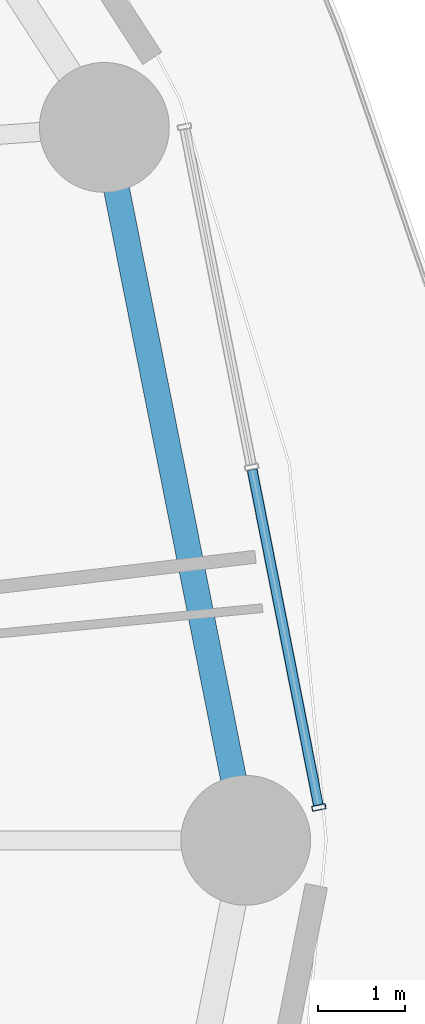
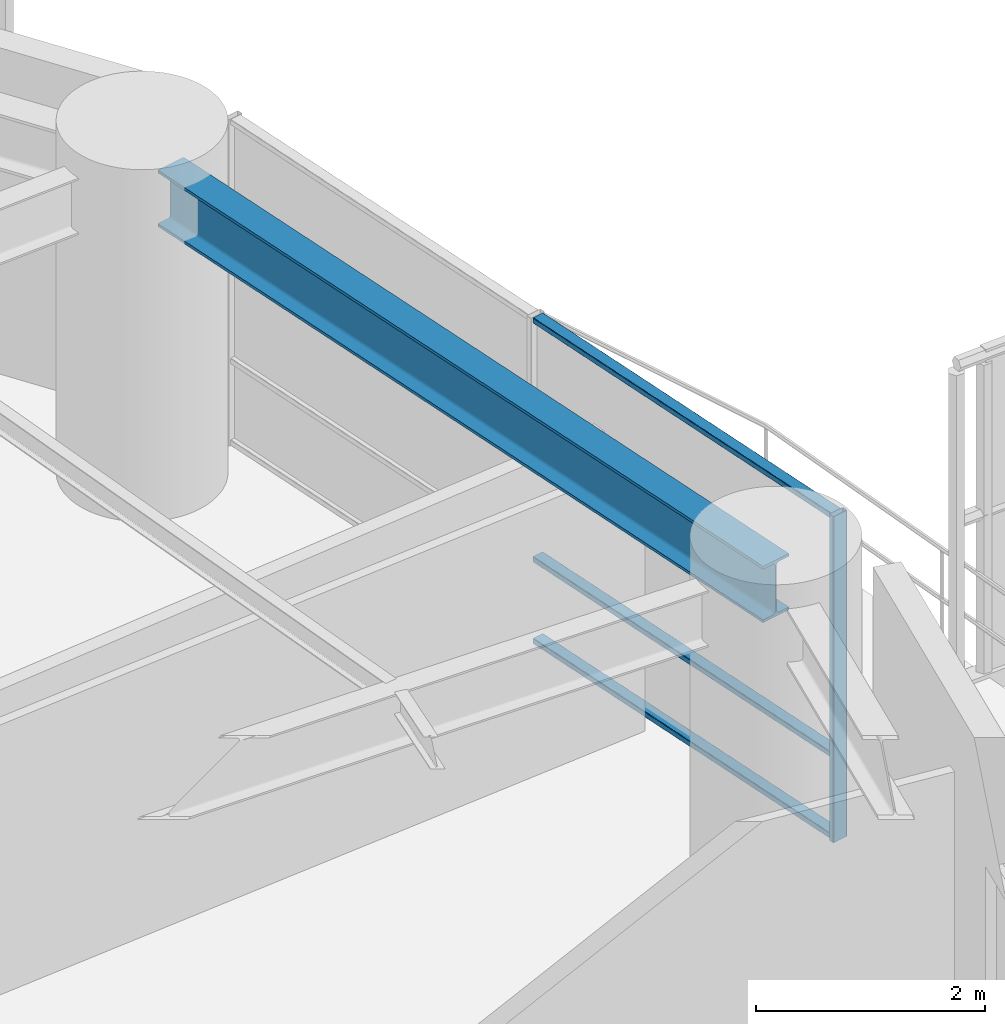
# One storey, part 14 of 32: 4 members, 1 beam, 1 element without a shape of its own.
"""IFC4 building model written with IfcOpenShell, lengths in metres."""

from ifc_helpers import new_model, si_unit, direction, frame, origin, origin_2d, place, context, subcontext, project, spatial, hollow_rectangle, i_section, extrude, material, layer, layer_set, material_profile, profile_set, type_object, element, aggregate, save


model = new_model("IFC4")

# Units and contexts
model_context = context("Model", 3, precision=1e-05, world=origin(), true_north=direction((0.0, 1.0)))
body_context = subcontext(model_context, "Body", "Model", "MODEL_VIEW")
ifc_project = project(units=[si_unit("LENGTHUNIT", "METRE"), si_unit("AREAUNIT", "SQUARE_METRE"), si_unit("VOLUMEUNIT", "CUBIC_METRE"), si_unit("PLANEANGLEUNIT", "RADIAN"), si_unit("MASSUNIT", "GRAM", prefix="KILO")], contexts=[model_context])

# Site, building, storey
site_placement = place(None, origin())
site = spatial("IfcSite", under=ifc_project, at=site_placement, CompositionType="ELEMENT")
building_placement = place(site_placement, origin())
building = spatial("IfcBuilding", under=site, at=building_placement, Name="Kelanora Arch Commons", CompositionType="ELEMENT")
storey_placement = place(building_placement, frame((0.0, 0.0, 52.5)))
storey = spatial("IfcBuildingStorey", under=building, at=storey_placement, Name="L13", CompositionType="ELEMENT", Elevation=52.5)

# Beam
ifc_material_1 = material(Name="Steel S355", Category="steel")
ifc_material_profile_1 = material_profile(ifc_material_1, i_section(OverallWidth=0.300048828125, OverallDepth=0.60009765625, WebThickness=0.015380859375, FlangeThickness=0.030029296875, FilletRadius=0.027099609375, at=origin_2d()), Name="HEB600")
ifc_profile_set_1 = profile_set([ifc_material_profile_1], Name="Steel S355")
beam_type = type_object("IfcBeamType", Name="BM-SPN-Z1", PredefinedType="SPANDREL", material=ifc_profile_set_1)
beam_placement = place(storey_placement, frame((101.080078125, 58.0, 3.18994140625), z_axis=(-0.194522790633, 0.980897998736, 0.0), x_axis=(-0.980897998736, -0.194522790633, 0.0)))
element("IfcBeam", 1, at=beam_placement, inside=storey, type_object=beam_type, Name="Perimeter Spandrel Beam BS-00 L13", PredefinedType="SPANDREL", context=body_context, shape_type="SweptSolid", body=[
    extrude(i_section(OverallWidth=0.300048828125, OverallDepth=0.60009765625, WebThickness=0.015380859375, FlangeThickness=0.030029296875, FilletRadius=0.027099609375, at=origin_2d()), origin(), (0.0, 0.0, 1.0), 8.01611328125),
])

# Curtain wall, members
ifc_material_2 = material(Name="Terracotta ceramic-fritted low-E glass and aluminium", Category="masonry")
ifc_layer = layer(ifc_material_2, 0.159912109375)
ifc_layer_set = layer_set([ifc_layer], Name="Terracotta ceramic-fritted low-E glass and aluminium")
curtain_wall_type = type_object("IfcCurtainWallType", Name="CW-SYS-01", PredefinedType="NOTDEFINED", material=ifc_layer_set)
curtain_wall_placement = place(storey_placement, origin())
curtain_wall = element("IfcCurtainWall", 2, at=curtain_wall_placement, inside=storey, type_object=curtain_wall_type, Name="Unitised Curtain Wall L13-B00", PredefinedType="NOTDEFINED")
ifc_material_3 = material(Name="Powder-coated aluminium terracotta", Category="masonry")
ifc_material_profile_2 = material_profile(ifc_material_3, hollow_rectangle(XDim=0.159912109375, YDim=0.06005859375, WallThickness=0.0048828125, InnerFilletRadius=0.0048828125, OuterFilletRadius=0.010009765625, at=origin_2d()), Name="CWM160x60")
ifc_profile_set_2 = profile_set([ifc_material_profile_2], Name="Powder-coated aluminium terracotta")
member_type_1 = type_object("IfcMemberType", Name="CWM-STD", PredefinedType="MULLION", material=ifc_profile_set_2)
member_1_placement = place(storey_placement, frame((101.925048828125, 58.379150390625, 0.0), z_axis=(0.0, 0.0, 1.0), x_axis=(-0.981052110579, -0.193744048498, 0.0)))
member_1 = element("IfcMember", 3, at=member_1_placement, type_object=member_type_1, Name="CW-01 mullion 1", PredefinedType="MULLION", context=body_context, shape_type="SweptSolid", body=[
    extrude(hollow_rectangle(XDim=0.159912109375, YDim=0.06005859375, WallThickness=0.0048828125, InnerFilletRadius=0.0048828125, OuterFilletRadius=0.010009765625, at=origin_2d()), origin(), (0.0, 0.0, 1.0), 3.47509765625),
])
ifc_material_profile_3 = material_profile(ifc_material_3, hollow_rectangle(XDim=0.1201171875, YDim=0.06005859375, WallThickness=0.0048828125, InnerFilletRadius=0.0048828125, OuterFilletRadius=0.010009765625, at=origin_2d()), Name="CWT120x60")
ifc_profile_set_3 = profile_set([ifc_material_profile_3], Name="Powder-coated aluminium terracotta")
member_type_2 = type_object("IfcMemberType", Name="CWT-STD", PredefinedType="USERDEFINED", material=ifc_profile_set_3)
member_2_placement = place(storey_placement, frame((101.919189453125, 58.408447265625, 0.030029296875), z_axis=(-0.193725436624, 0.98105578598, 0.0), x_axis=(-0.98105578598, -0.193725436624, 0.0)))
member_2 = element("IfcMember", 4, at=member_2_placement, type_object=member_type_2, Name="CW-01 transom 1.1", ObjectType="TRANSOM", PredefinedType="USERDEFINED", context=body_context, shape_type="SweptSolid", body=[
    extrude(hollow_rectangle(XDim=0.1201171875, YDim=0.06005859375, WallThickness=0.0048828125, InnerFilletRadius=0.0048828125, OuterFilletRadius=0.010009765625, at=origin_2d()), origin(), (0.0, 0.0, 1.0), 3.9482421875),
])
member_3_placement = place(storey_placement, frame((101.919189453125, 58.408447265625, 0.89990234375), z_axis=(-0.193725436624, 0.98105578598, 0.0), x_axis=(-0.98105578598, -0.193725436624, 0.0)))
member_3 = element("IfcMember", 5, at=member_3_placement, type_object=member_type_2, Name="CW-01 transom 1.2", ObjectType="TRANSOM", PredefinedType="USERDEFINED", context=body_context, shape_type="SweptSolid", body=[
    extrude(hollow_rectangle(XDim=0.1201171875, YDim=0.06005859375, WallThickness=0.0048828125, InnerFilletRadius=0.0048828125, OuterFilletRadius=0.010009765625, at=origin_2d()), origin(), (0.0, 0.0, 1.0), 3.9482421875),
])
member_4_placement = place(storey_placement, frame((101.919189453125, 58.408447265625, 3.445068359375), z_axis=(-0.193725436624, 0.98105578598, 0.0), x_axis=(-0.98105578598, -0.193725436624, 0.0)))
member_4 = element("IfcMember", 6, at=member_4_placement, type_object=member_type_2, Name="CW-01 transom 1.3", ObjectType="TRANSOM", PredefinedType="USERDEFINED", context=body_context, shape_type="SweptSolid", body=[
    extrude(hollow_rectangle(XDim=0.1201171875, YDim=0.06005859375, WallThickness=0.0048828125, InnerFilletRadius=0.0048828125, OuterFilletRadius=0.010009765625, at=origin_2d()), origin(), (0.0, 0.0, 1.0), 3.9482421875),
])
aggregate(curtain_wall, [member_1, member_2, member_3, member_4])

save(model, "model.ifc")
